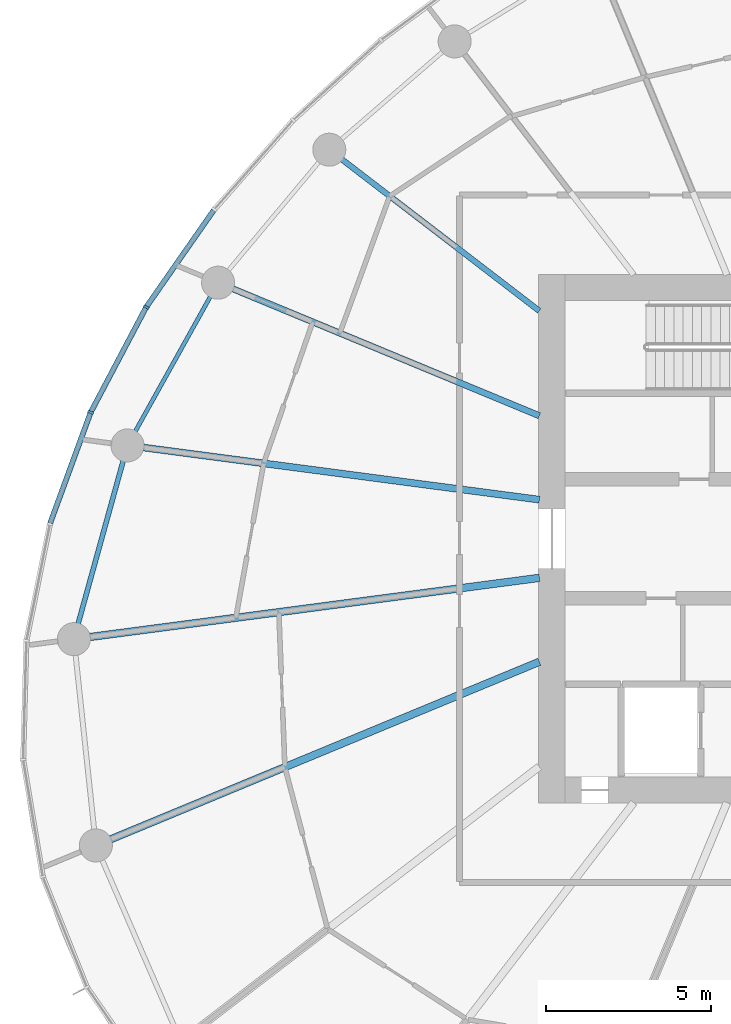
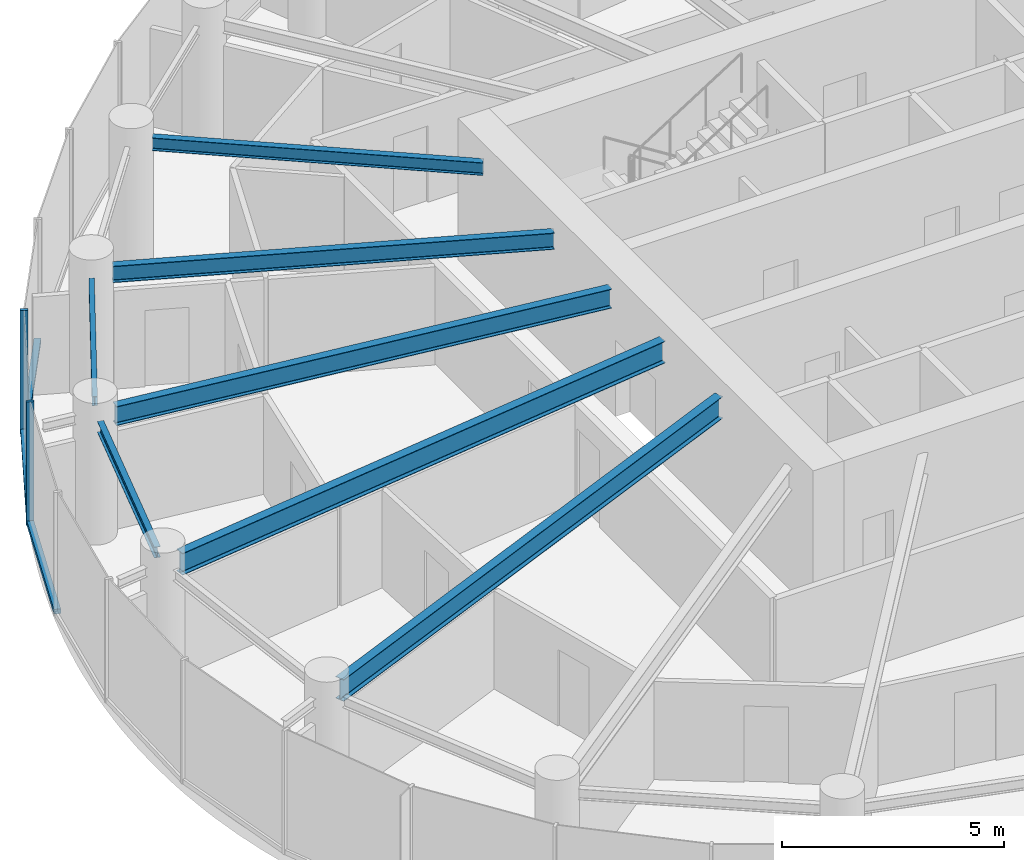
# One storey, part 3 of 15: 7 beams, 5 members, 1 element without a shape of its own.
"""IFC4 building model written with IfcOpenShell, lengths in metres."""

from ifc_helpers import new_model, si_unit, direction, frame, origin, origin_2d, place, context, subcontext, project, spatial, rectangle, i_section, extrude, source, transform, mapped, material, layer, layer_set, material_profile, profile_set, type_object, element, aggregate, save


model = new_model("IFC4")

# Units and contexts
model_context = context("Model", 3, precision=1e-05, world=origin(), true_north=direction((0.0, 1.0)))
body_context = subcontext(model_context, "Body", "Model", "MODEL_VIEW")
ifc_project = project(units=[si_unit("LENGTHUNIT", "METRE"), si_unit("AREAUNIT", "SQUARE_METRE"), si_unit("VOLUMEUNIT", "CUBIC_METRE"), si_unit("PLANEANGLEUNIT", "RADIAN"), si_unit("MASSUNIT", "GRAM", prefix="KILO")], contexts=[model_context])

# Site, building, storey
site_placement = place(None, origin())
site = spatial("IfcSite", under=ifc_project, at=site_placement, CompositionType="ELEMENT")
building_placement = place(site_placement, origin())
building = spatial("IfcBuilding", under=site, at=building_placement, Name="Spindrift Exchange Tower", CompositionType="ELEMENT")
storey_placement = place(building_placement, frame((0.0, 0.0, 176.0)))
storey = spatial("IfcBuildingStorey", under=building, at=storey_placement, Name="L42", CompositionType="ELEMENT", Elevation=176.0)

# Beams
ifc_material_1 = material(Name="Steel Grade 300", Category="steel")
ifc_material_profile_1 = material_profile(ifc_material_1, i_section(OverallWidth=0.1240234375, OverallDepth=0.248046875, WebThickness=0.0048828125, FlangeThickness=0.008056640625, FilletRadius=0.011962890625, at=origin_2d()), Name="250UB25.7")
ifc_profile_set_1 = profile_set([ifc_material_profile_1], Name="Steel Grade 300")
beam_type_1 = type_object("IfcBeamType", Name="Edge Beam 250UB25.7 Steel Grade 300", PredefinedType="SPANDREL", material=ifc_profile_set_1)
shared_shape_1 = source(origin(), body_context, "Body", "SweptSolid", [
    extrude(i_section(OverallWidth=0.1240234375, OverallDepth=0.248046875, WebThickness=0.0048828125, FlangeThickness=0.008056640625, FilletRadius=0.011962890625, at=origin_2d()), origin(), (0.0, 0.0, 1.0), 4.6748046875),
])
beam_1_placement = place(storey_placement, frame((33.067138671875, 55.326171875, 3.27587890625), z_axis=(-0.486587145143, -0.873632045075, 0.0), x_axis=(0.873632045075, -0.486587145143, 0.0)))
element("IfcBeam", 1, at=beam_1_placement, inside=storey, type_object=beam_type_1, Name="L42 edge beam E11", PredefinedType="SPANDREL", context=body_context, shape_type="MappedRepresentation", body=[
    mapped(shared_shape_1, transform((0.0, 0.0, 0.0), scale=1.0)),
])
ifc_material_profile_2 = material_profile(ifc_material_1, i_section(OverallWidth=0.14892578125, OverallDepth=0.298095703125, WebThickness=0.005615234375, FlangeThickness=0.008056640625, FilletRadius=0.012939453125, at=origin_2d()), Name="310UB32.0")
ifc_profile_set_2 = profile_set([ifc_material_profile_2], Name="Steel Grade 300")
beam_type_2 = type_object("IfcBeamType", Name="Edge Beam 310UB32.0 Steel Grade 300", PredefinedType="SPANDREL", material=ifc_profile_set_2)
shared_shape_2 = source(origin(), body_context, "Body", "SweptSolid", [
    extrude(i_section(OverallWidth=0.14892578125, OverallDepth=0.298095703125, WebThickness=0.005615234375, FlangeThickness=0.008056640625, FilletRadius=0.012939453125, at=origin_2d()), origin(), (0.0, 0.0, 1.0), 5.118896484375),
])
beam_2_placement = place(storey_placement, frame((30.430908203125, 50.360107421875, 3.2509765625), z_axis=(-0.266654866605, -0.963792084485, 0.0), x_axis=(0.963792084485, -0.266654866605, 0.0)))
element("IfcBeam", 2, at=beam_2_placement, inside=storey, type_object=beam_type_2, Name="L42 edge beam E12", PredefinedType="SPANDREL", context=body_context, shape_type="MappedRepresentation", body=[
    mapped(shared_shape_2, transform((0.0, 0.0, 0.0), scale=1.0)),
])
ifc_material_profile_3 = material_profile(ifc_material_1, i_section(OverallWidth=0.22802734375, OverallDepth=0.60205078125, WebThickness=0.010498046875, FlangeThickness=0.014892578125, FilletRadius=0.013916015625, at=origin_2d()), Name="610UB101")
ifc_profile_set_3 = profile_set([ifc_material_profile_3], Name="Steel Grade 300")
beam_type_3 = type_object("IfcBeamType", Name="Floor Beam 610UB101 Steel Grade 300", PredefinedType="BEAM", material=ifc_profile_set_3)
shared_shape_3 = source(origin(), body_context, "Body", "SweptSolid", [
    extrude(i_section(OverallWidth=0.22802734375, OverallDepth=0.60205078125, WebThickness=0.010498046875, FlangeThickness=0.014892578125, FilletRadius=0.013916015625, at=origin_2d()), origin(), (0.0, 0.0, 1.0), 13.723388671875),
])
beam_3_placement = place(storey_placement, frame((43.019775390625, 46.817626953125, 3.09912109375), z_axis=(-0.991447148915, -0.13050881544, 0.0), x_axis=(0.13050881544, -0.991447148915, 0.0)))
element("IfcBeam", 3, at=beam_3_placement, inside=storey, type_object=beam_type_3, Name="L42 radial beam R13A", PredefinedType="BEAM", context=body_context, shape_type="MappedRepresentation", body=[
    mapped(shared_shape_3, transform((0.0, 0.0, 0.0), scale=1.0)),
])
shared_shape_4 = source(origin(), body_context, "Body", "SweptSolid", [
    extrude(i_section(OverallWidth=0.22802734375, OverallDepth=0.60205078125, WebThickness=0.010498046875, FlangeThickness=0.014892578125, FilletRadius=0.013916015625, at=origin_2d()), origin(), (0.0, 0.0, 1.0), 14.04052734375),
])
beam_4_placement = place(storey_placement, frame((43.0185546875, 44.27978515625, 3.09912109375), z_axis=(-0.923879501748, -0.382683506634, 0.0), x_axis=(0.382683506634, -0.923879501748, 0.0)))
element("IfcBeam", 4, at=beam_4_placement, inside=storey, type_object=beam_type_3, Name="L42 radial beam R14A", PredefinedType="BEAM", context=body_context, shape_type="MappedRepresentation", body=[
    mapped(shared_shape_4, transform((0.0, 0.0, 0.0), scale=1.0)),
])
ifc_material_profile_4 = material_profile(ifc_material_1, i_section(OverallWidth=0.1708984375, OverallDepth=0.35205078125, WebThickness=0.0068359375, FlangeThickness=0.009765625, FilletRadius=0.013916015625, at=origin_2d()), Name="360UB44.7")
ifc_profile_set_4 = profile_set([ifc_material_profile_4], Name="Steel Grade 300")
beam_type_4 = type_object("IfcBeamType", Name="Floor Beam 360UB44.7 Steel Grade 300", PredefinedType="BEAM", material=ifc_profile_set_4)
shared_shape_5 = source(origin(), body_context, "Body", "SweptSolid", [
    extrude(i_section(OverallWidth=0.1708984375, OverallDepth=0.35205078125, WebThickness=0.0068359375, FlangeThickness=0.009765625, FilletRadius=0.013916015625, at=origin_2d()), origin(), (0.0, 0.0, 1.0), 7.52685546875),
])
beam_5_placement = place(storey_placement, frame((43.015869140625, 54.893798828125, 3.22412109375), z_axis=(-0.793354136078, 0.608760391918, 0.0), x_axis=(-0.608760391918, -0.793354136078, 0.0)))
element("IfcBeam", 5, at=beam_5_placement, inside=storey, type_object=beam_type_4, Name="L42 radial beam R10A", PredefinedType="BEAM", context=body_context, shape_type="MappedRepresentation", body=[
    mapped(shared_shape_5, transform((0.0, 0.0, 0.0), scale=1.0)),
])
ifc_material_profile_5 = material_profile(ifc_material_1, i_section(OverallWidth=0.18994140625, OverallDepth=0.4541015625, WebThickness=0.008544921875, FlangeThickness=0.0126953125, FilletRadius=0.013916015625, at=origin_2d()), Name="460UB67.1")
ifc_profile_set_5 = profile_set([ifc_material_profile_5], Name="Steel Grade 300")
beam_type_5 = type_object("IfcBeamType", Name="Floor Beam 460UB67.1 Steel Grade 300", PredefinedType="BEAM", material=ifc_profile_set_5)
shared_shape_6 = source(origin(), body_context, "Body", "SweptSolid", [
    extrude(i_section(OverallWidth=0.18994140625, OverallDepth=0.4541015625, WebThickness=0.008544921875, FlangeThickness=0.0126953125, FilletRadius=0.013916015625, at=origin_2d()), origin(), (0.0, 0.0, 1.0), 10.03857421875),
])
beam_6_placement = place(storey_placement, frame((43.0185546875, 51.72021484375, 3.173095703125), z_axis=(-0.923880777638, 0.382680426349, 0.0), x_axis=(-0.382680426349, -0.923880777638, 0.0)))
element("IfcBeam", 6, at=beam_6_placement, inside=storey, type_object=beam_type_5, Name="L42 radial beam R11A", PredefinedType="BEAM", context=body_context, shape_type="MappedRepresentation", body=[
    mapped(shared_shape_6, transform((0.0, 0.0, 0.0), scale=1.0)),
])
ifc_material_profile_6 = material_profile(ifc_material_1, i_section(OverallWidth=0.208984375, OverallDepth=0.528076171875, WebThickness=0.009521484375, FlangeThickness=0.01318359375, FilletRadius=0.013916015625, at=origin_2d()), Name="530UB82.0")
ifc_profile_set_6 = profile_set([ifc_material_profile_6], Name="Steel Grade 300")
beam_type_6 = type_object("IfcBeamType", Name="Floor Beam 530UB82.0 Steel Grade 300", PredefinedType="BEAM", material=ifc_profile_set_6)
shared_shape_7 = source(origin(), body_context, "Body", "SweptSolid", [
    extrude(i_section(OverallWidth=0.208984375, OverallDepth=0.528076171875, WebThickness=0.009521484375, FlangeThickness=0.01318359375, FilletRadius=0.013916015625, at=origin_2d()), origin(), (0.0, 0.0, 1.0), 12.088134765625),
])
beam_7_placement = place(storey_placement, frame((43.019775390625, 49.182373046875, 3.135986328125), z_axis=(-0.991447007302, 0.130509891244, 0.0), x_axis=(-0.130509891244, -0.991447007302, 0.0)))
element("IfcBeam", 7, at=beam_7_placement, inside=storey, type_object=beam_type_6, Name="L42 radial beam R12A", PredefinedType="BEAM", context=body_context, shape_type="MappedRepresentation", body=[
    mapped(shared_shape_7, transform((0.0, 0.0, 0.0), scale=1.0)),
])

# Curtain wall, members
ifc_material_2 = material(Name="Fritted laminated glass with bronze frame", Category="glass")
ifc_layer = layer(ifc_material_2, 0.179931640625)
ifc_layer_set = layer_set([ifc_layer], Name="ZONE 3 BRONZE FRITTED WALL")
curtain_wall_type = type_object("IfcCurtainWallType", Name="ZONE 3 BRONZE FRITTED WALL", PredefinedType="NOTDEFINED", material=ifc_layer_set)
curtain_wall_placement = place(storey_placement, origin())
curtain_wall = element("IfcCurtainWall", 8, at=curtain_wall_placement, inside=storey, type_object=curtain_wall_type, Name="L42 Zone 3 Bronze Fritted Wall run 3", PredefinedType="NOTDEFINED")
ifc_material_3 = material(Name="Bronze anodised aluminium", Category="aluminium")
ifc_material_profile_7 = material_profile(ifc_material_3, rectangle(XDim=0.159912109375, YDim=0.1298828125, at=origin_2d()), Name="ZONE 3 BRONZE FRITTED WALL TRANSOM 160X130")
ifc_profile_set_7 = profile_set([ifc_material_profile_7], Name="Bronze anodised aluminium")
member_type_1 = type_object("IfcMemberType", Name="ZONE 3 BRONZE FRITTED WALL TRANSOM 160X130", PredefinedType="USERDEFINED", material=ifc_profile_set_7)
shared_shape_8 = source(origin(), body_context, "Body", "SweptSolid", [
    extrude(rectangle(XDim=0.159912109375, YDim=0.1298828125, at=origin_2d()), origin(), (0.0, 0.0, 1.0), 3.5302734375),
])
member_1_placement = place(storey_placement, frame((31.10986328125, 54.97802734375, 0.06494140625), z_axis=(-0.466746599314, -0.88439109676, 0.0), x_axis=(0.88439109676, -0.466746599314, 0.0)))
member_1 = element("IfcMember", 9, at=member_1_placement, type_object=member_type_1, Name="L42 transom CW-3.15", ObjectType="TRANSOM", PredefinedType="USERDEFINED", context=body_context, shape_type="MappedRepresentation", body=[
    mapped(shared_shape_8, transform((0.0, 0.0, 0.0), scale=1.0)),
])
shared_shape_9 = source(origin(), body_context, "Body", "SweptSolid", [
    extrude(rectangle(XDim=0.159912109375, YDim=0.1298828125, at=origin_2d()), origin(), (0.0, 0.0, 1.0), 3.530517578125),
])
member_2_placement = place(storey_placement, frame((33.164794921875, 57.93408203125, 0.06494140625), z_axis=(-0.571753169713, -0.820425690068, 0.0), x_axis=(0.820425690068, -0.571753169713, 0.0)))
member_2 = element("IfcMember", 10, at=member_2_placement, type_object=member_type_1, Name="L42 transom CW-3.14", ObjectType="TRANSOM", PredefinedType="USERDEFINED", context=body_context, shape_type="MappedRepresentation", body=[
    mapped(shared_shape_9, transform((0.0, 0.0, 0.0), scale=1.0)),
])
shared_shape_10 = source(origin(), body_context, "Body", "SweptSolid", [
    extrude(rectangle(XDim=0.159912109375, YDim=0.1298828125, at=origin_2d()), origin(), (0.0, 0.0, 1.0), 3.529541015625),
])
member_3_placement = place(storey_placement, frame((29.433837890625, 51.792236328125, 0.06494140625), z_axis=(-0.343158919957, -0.939277358214, 0.0), x_axis=(0.939277358214, -0.343158919957, 0.0)))
member_3 = element("IfcMember", 11, at=member_3_placement, type_object=member_type_1, Name="L42 transom CW-3.16", ObjectType="TRANSOM", PredefinedType="USERDEFINED", context=body_context, shape_type="MappedRepresentation", body=[
    mapped(shared_shape_10, transform((0.0, 0.0, 0.0), scale=1.0)),
])
ifc_material_profile_8 = material_profile(ifc_material_3, rectangle(XDim=0.070068359375, YDim=0.179931640625, at=origin_2d()), Name="ZONE 3 BRONZE FRITTED WALL MULLION 70X180")
ifc_profile_set_8 = profile_set([ifc_material_profile_8], Name="Bronze anodised aluminium")
member_type_2 = type_object("IfcMemberType", Name="ZONE 3 BRONZE FRITTED WALL MULLION 70X180", PredefinedType="MULLION", material=ifc_profile_set_8)
shared_shape_11 = source(origin(), body_context, "Body", "SweptSolid", [
    extrude(rectangle(XDim=0.070068359375, YDim=0.179931640625, at=origin_2d()), origin(), (0.0, 0.0, 1.0), 3.39990234375),
])
member_4_placement = place(storey_placement, frame((31.126220703125, 55.009033203125, 0.0), z_axis=(0.0, 0.0, 1.0), x_axis=(-0.520249782642, -0.854014147225, 0.0)))
member_4 = element("IfcMember", 12, at=member_4_placement, type_object=member_type_2, Name="L42 mullion CW-3.15", PredefinedType="MULLION", context=body_context, shape_type="MappedRepresentation", body=[
    mapped(shared_shape_11, transform((0.0, 0.0, 0.0), scale=1.0)),
])
member_5_placement = place(storey_placement, frame((29.44580078125, 51.8251953125, 0.0), z_axis=(0.0, 0.0, 1.0), x_axis=(-0.405878701504, -0.913926955323, 0.0)))
member_5 = element("IfcMember", 13, at=member_5_placement, type_object=member_type_2, Name="L42 mullion CW-3.16", PredefinedType="MULLION", context=body_context, shape_type="MappedRepresentation", body=[
    mapped(shared_shape_11, transform((0.0, 0.0, 0.0), scale=1.0)),
])
aggregate(curtain_wall, [member_2, member_4, member_1, member_5, member_3])

save(model, "model.ifc")
